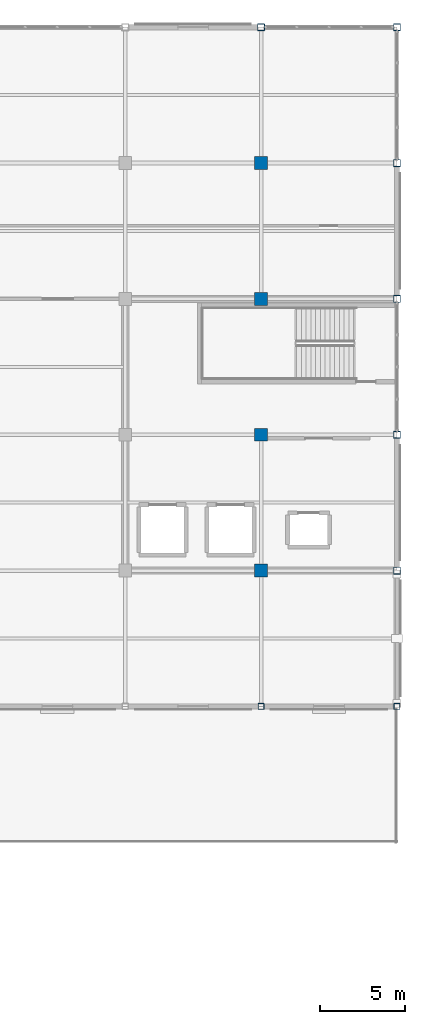
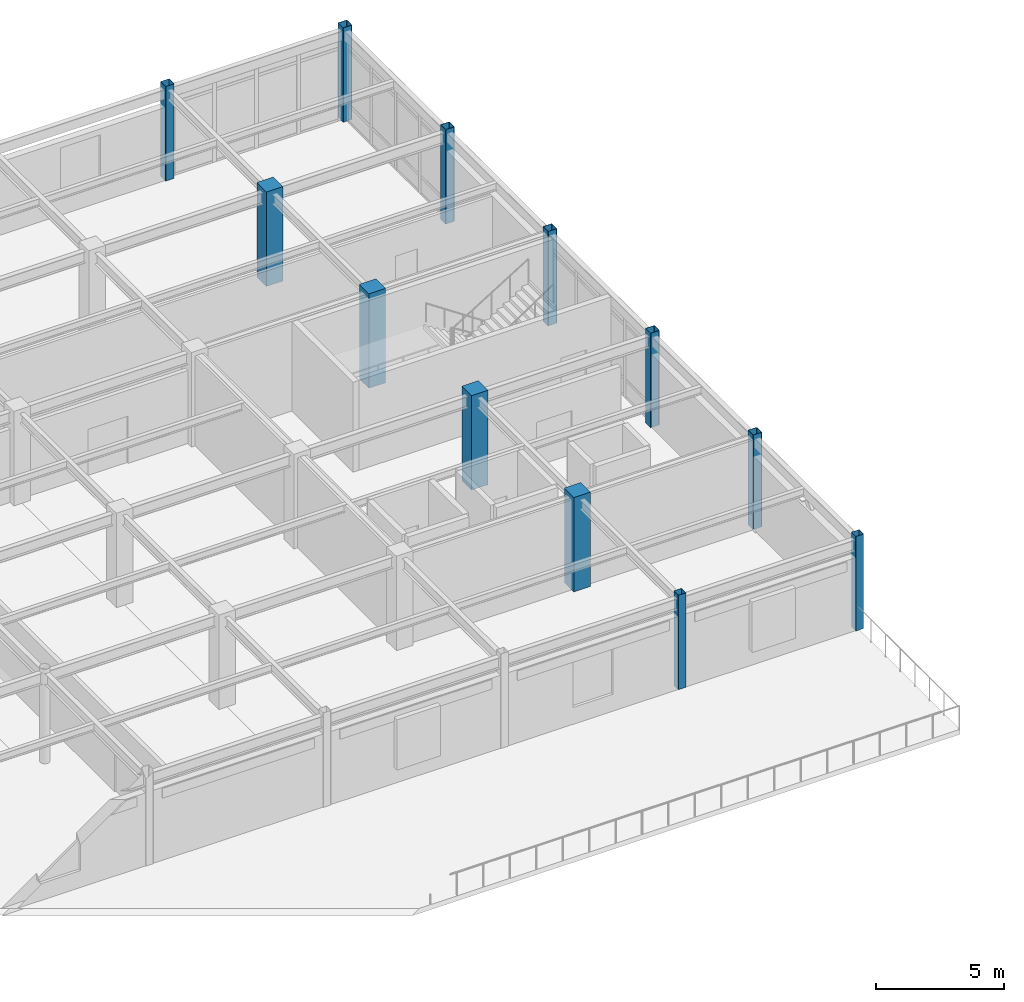
# One storey, part 17 of 111: 12 columns.
"""IFC4 building model written with IfcOpenShell, lengths in metres."""

from ifc_helpers import new_model, si_unit, direction, frame, origin, origin_2d, place, context, subcontext, project, spatial, rectangle, hollow_rectangle, extrude, material, material_profile, profile_set, type_object, element, save


model = new_model("IFC4")

# Units and contexts
model_context = context("Model", 3, precision=1e-05, world=origin(), true_north=direction((0.0, 1.0)))
body_context = subcontext(model_context, "Body", "Model", "MODEL_VIEW")
ifc_project = project(units=[si_unit("LENGTHUNIT", "METRE"), si_unit("AREAUNIT", "SQUARE_METRE"), si_unit("VOLUMEUNIT", "CUBIC_METRE"), si_unit("PLANEANGLEUNIT", "RADIAN"), si_unit("MASSUNIT", "GRAM", prefix="KILO")], contexts=[model_context])

# Site, building, storey
site_placement = place(None, origin())
site = spatial("IfcSite", under=ifc_project, at=site_placement, CompositionType="ELEMENT")
building_placement = place(site_placement, origin())
building = spatial("IfcBuilding", under=site, at=building_placement, Name="Solmirada Galleria", CompositionType="ELEMENT")
storey_placement = place(building_placement, frame((0.0, 0.0, 10.39990234375)))
storey = spatial("IfcBuildingStorey", under=building, at=storey_placement, Name="L02", CompositionType="ELEMENT", Elevation=10.39990234375)

# Columns
ifc_material_1 = material(Name="Steel S355 / ASTM A500 Grade C", Category="steel")
ifc_material_profile_1 = material_profile(ifc_material_1, hollow_rectangle(XDim=0.35595703125, YDim=0.35595703125, WallThickness=0.01171875, InnerFilletRadius=0.01171875, OuterFilletRadius=0.023681640625, at=origin_2d()), Name="HSS14X14X1/2")
ifc_profile_set_1 = profile_set([ifc_material_profile_1], Name="Steel S355 / ASTM A500 Grade C")
column_type_1 = type_object("IfcColumnType", Name="COL-HSS14", PredefinedType="COLUMN", material=ifc_profile_set_1)
for number, where, z_axis, x_axis, name in (
    (1, (168.0, 80.0, 0.0), (0.0, 0.0, 1.0), (1.0, 0.0, 0.0), "Structural column L02-1463"),
    (2, (176.0, 80.0, 0.0), (0.0, 0.0, 1.0), (1.0, 0.0, 0.0), "Structural column L02-1536"),
):
    element("IfcColumn", number, at=place(storey_placement, frame(where, z_axis=z_axis, x_axis=x_axis)), inside=storey, type_object=column_type_1, Name=name, PredefinedType="COLUMN", context=body_context, shape_type="SweptSolid", body=[
        extrude(hollow_rectangle(XDim=0.35595703125, YDim=0.35595703125, WallThickness=0.01171875, InnerFilletRadius=0.01171875, OuterFilletRadius=0.023681640625, at=origin_2d()), origin(), (0.0, 0.0, 1.0), 4.5),
    ])
ifc_material_profile_2 = material_profile(ifc_material_1, hollow_rectangle(XDim=0.406005859375, YDim=0.406005859375, WallThickness=0.0146484375, InnerFilletRadius=0.0146484375, OuterFilletRadius=0.029296875, at=origin_2d()), Name="HSS16X16X5/8")
ifc_profile_set_2 = profile_set([ifc_material_profile_2], Name="Steel S355 / ASTM A500 Grade C")
column_type_2 = type_object("IfcColumnType", Name="COL-HSS16", PredefinedType="COLUMN", material=ifc_profile_set_2)
for number, where, z_axis, x_axis, name in (
    (3, (168.0, 120.0, 0.0), (0.0, 0.0, 1.0), (1.0, 0.0, 0.0), "Structural column L02-1504"),
    (4, (176.0, 88.0, 0.0), (0.0, 0.0, 1.0), (1.0, 0.0, 0.0), "Structural column L02-1541"),
    (5, (176.0, 96.0, 0.0), (0.0, 0.0, 1.0), (1.0, 0.0, 0.0), "Structural column L02-1550"),
    (6, (176.0, 104.0, 0.0), (0.0, 0.0, 1.0), (1.0, 0.0, 0.0), "Structural column L02-1559"),
    (7, (176.0, 112.0, 0.0), (0.0, 0.0, 1.0), (1.0, 0.0, 0.0), "Structural column L02-1568"),
    (8, (176.0, 120.0, 0.0), (0.0, 0.0, 1.0), (1.0, 0.0, 0.0), "Structural column L02-1577"),
):
    element("IfcColumn", number, at=place(storey_placement, frame(where, z_axis=z_axis, x_axis=x_axis)), inside=storey, type_object=column_type_2, Name=name, PredefinedType="COLUMN", context=body_context, shape_type="SweptSolid", body=[
        extrude(hollow_rectangle(XDim=0.406005859375, YDim=0.406005859375, WallThickness=0.0146484375, InnerFilletRadius=0.0146484375, OuterFilletRadius=0.029296875, at=origin_2d()), origin(), (0.0, 0.0, 1.0), 4.5),
    ])
ifc_material_2 = material(Name="Concrete C40/50", Category="concrete")
ifc_material_profile_3 = material_profile(ifc_material_2, rectangle(XDim=0.75, YDim=0.75, at=origin_2d()), Name="RC750X750")
ifc_profile_set_3 = profile_set([ifc_material_profile_3], Name="Concrete C40/50")
column_type_3 = type_object("IfcColumnType", Name="COL-RC750", PredefinedType="COLUMN", material=ifc_profile_set_3)
for number, where, z_axis, x_axis, name in (
    (9, (168.0, 88.0, 0.0), (0.0, 0.0, 1.0), (1.0, 0.0, 0.0), "Structural column L02-1468"),
    (10, (168.0, 96.0, 0.0), (0.0, 0.0, 1.0), (1.0, 0.0, 0.0), "Structural column L02-1477"),
    (11, (168.0, 104.0, 0.0), (0.0, 0.0, 1.0), (1.0, 0.0, 0.0), "Structural column L02-1486"),
    (12, (168.0, 112.0, 0.0), (0.0, 0.0, 1.0), (1.0, 0.0, 0.0), "Structural column L02-1495"),
):
    element("IfcColumn", number, at=place(storey_placement, frame(where, z_axis=z_axis, x_axis=x_axis)), inside=storey, type_object=column_type_3, Name=name, PredefinedType="COLUMN", context=body_context, shape_type="SweptSolid", body=[
        extrude(rectangle(XDim=0.75, YDim=0.75, at=origin_2d()), origin(), (0.0, 0.0, 1.0), 4.5),
    ])

save(model, "model.ifc")
